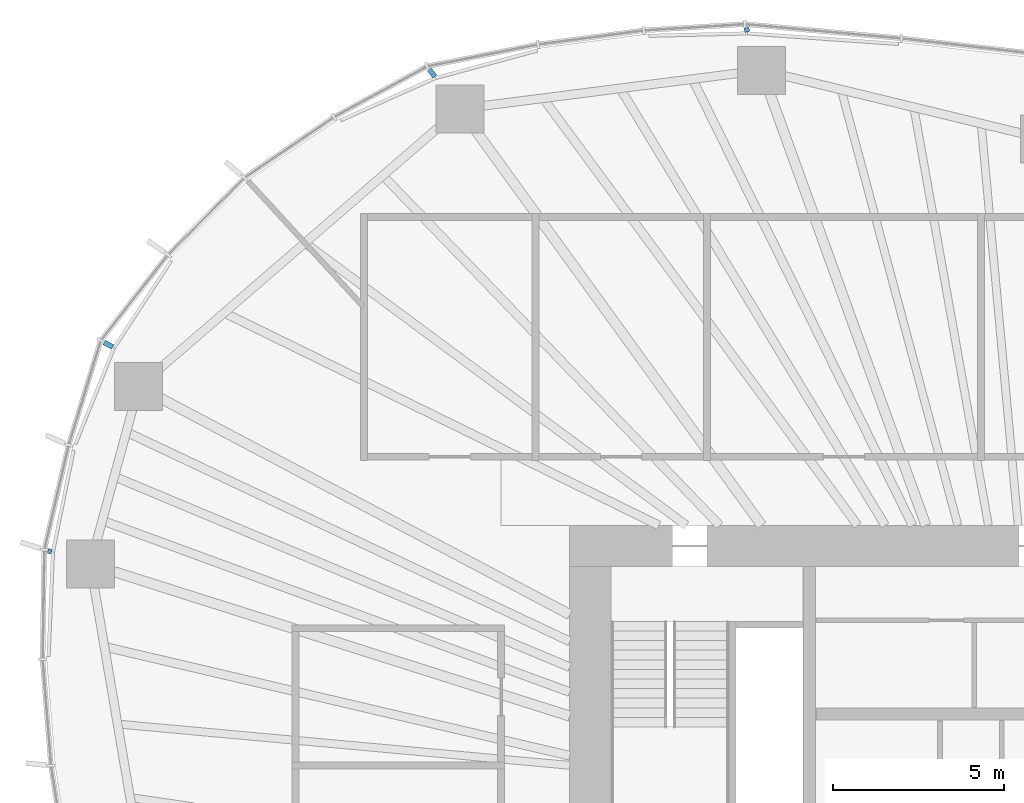
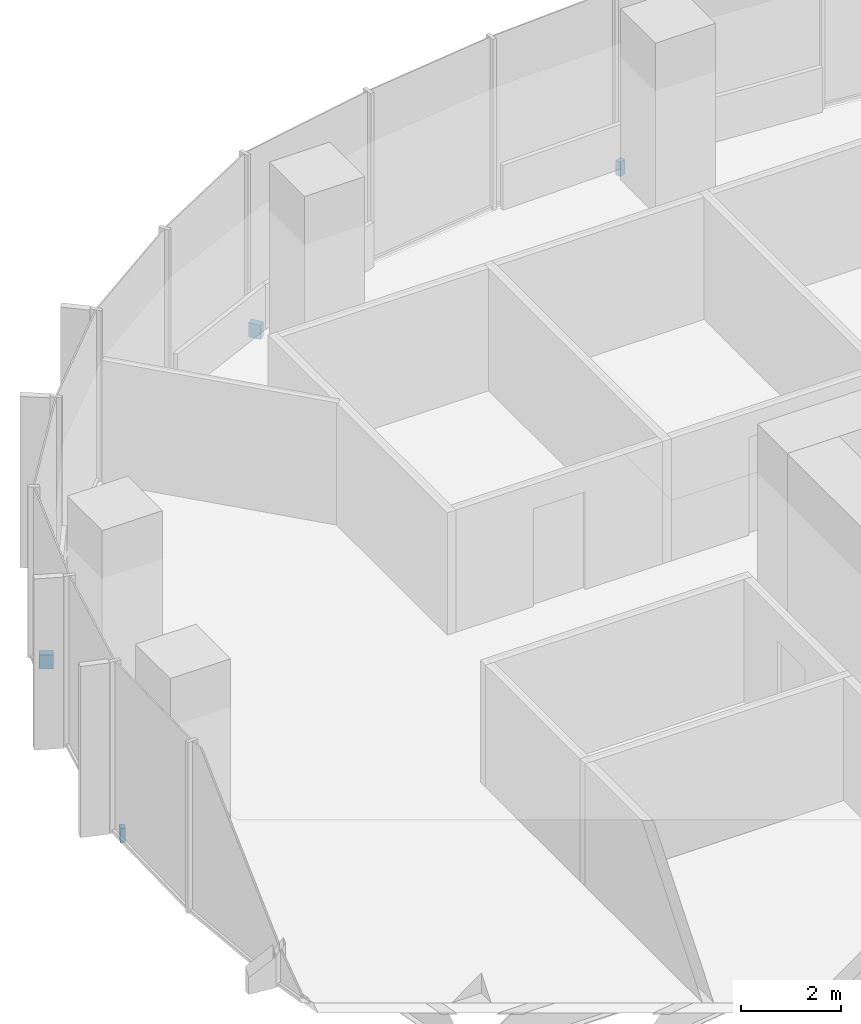
# One storey, part 15 of 18: 4 discrete accessories.
"""IFC4 building model written with IfcOpenShell, lengths in metres."""

import ifcopenshell
import ifcopenshell.guid

model = None  # the IFC model being written
_history = None  # IfcOwnerHistory: only IFC2X3 demands one
_inside = {}  # id of a spatial element -> (the spatial element, [elements in it])
_under = {}  # id of a project, library or spatial element -> (it, [spatial elements below it])
_declared = {}  # id of a project -> (the project, [libraries it declares])
_typed = {}  # id of a type object -> (the type object, [elements of that type])
_made_of = {}  # id of a material, layer set ... -> (it, [elements and type objects made of it])


def new_model(schema):
    """Start an empty IFC model of exactly this schema.

    Asked for "IFC4X3", IfcOpenShell would pick the latest addendum, in which some entities
    have other attributes; the version numbers below select the first issue.
    IFC2X3 requires an IfcOwnerHistory on every rooted entity: one is made here for all.
    """
    global model, _history
    if schema == "IFC4X3":
        model = ifcopenshell.file(schema_version=(4, 3, 0, 0))
    else:
        model = ifcopenshell.file(schema=schema)
    _inside.clear()
    _under.clear()
    _declared.clear()
    _typed.clear()
    _made_of.clear()
    _history = None
    if model.schema == "IFC2X3":
        org = make("IfcOrganization", Name="unknown")
        user = make(
            "IfcPersonAndOrganization",
            ThePerson=make("IfcPerson", FamilyName="unknown"),
            TheOrganization=org,
        )
        app = make(
            "IfcApplication",
            ApplicationDeveloper=org,
            Version="unknown",
            ApplicationFullName="unknown",
            ApplicationIdentifier="unknown",
        )
        _history = make(
            "IfcOwnerHistory",
            OwningUser=user,
            OwningApplication=app,
            ChangeAction="ADDED",
            CreationDate=0,
        )
    return model


def make(cls, **values):
    """One entity of the class cls with the attributes given. An attribute that is None is left unset."""
    return model.create_entity(
        cls, **{name: value for name, value in values.items() if value is not None}
    )


def rooted(cls, **values):
    """An entity with a GlobalId (a new one), such as an element, a storey or a relation."""
    return make(cls, GlobalId=ifcopenshell.guid.new(), OwnerHistory=_history, **values)


def si_unit(unit_type, name, prefix=None):
    """IfcSIUnit, for example si_unit("LENGTHUNIT", "METRE", prefix="MILLI")."""
    return make("IfcSIUnit", UnitType=unit_type, Prefix=prefix, Name=name)


def assignment(units):
    """IfcUnitAssignment: the units of a project."""
    return None if units is None else make("IfcUnitAssignment", Units=units)


def point(xyz):
    """IfcCartesianPoint."""
    return None if xyz is None else make("IfcCartesianPoint", Coordinates=xyz)


def direction(xyz):
    """IfcDirection."""
    return None if xyz is None else make("IfcDirection", DirectionRatios=xyz)


def frame(location, z_axis=None, x_axis=None):
    """IfcAxis2Placement3D, a coordinate frame: its origin and axes. An axis left out is left unset."""
    return make(
        "IfcAxis2Placement3D",
        Location=point(location),
        Axis=direction(z_axis),
        RefDirection=direction(x_axis),
    )


def frame_2d(location, x_axis=None):
    """IfcAxis2Placement2D, a coordinate frame in the plane: its origin and x axis."""
    return make(
        "IfcAxis2Placement2D", Location=point(location), RefDirection=direction(x_axis)
    )


def origin():
    """The frame at (0, 0, 0) with its axes left unset."""
    return frame((0.0, 0.0, 0.0))


def origin_2d():
    """The frame at (0, 0) in the plane with its x axis left unset."""
    return frame_2d((0.0, 0.0))


def place(relative_to, where):
    """IfcLocalPlacement: puts the frame where relative to a parent placement (None: the world)."""
    return make(
        "IfcLocalPlacement", PlacementRelTo=relative_to, RelativePlacement=where
    )


def context(
    kind, dimensions, precision=None, world=None, true_north=None, identifier=None
):
    """IfcGeometricRepresentationContext, for example the 3D "Model" context."""
    return make(
        "IfcGeometricRepresentationContext",
        ContextIdentifier=identifier,
        ContextType=kind,
        CoordinateSpaceDimension=dimensions,
        Precision=precision,
        WorldCoordinateSystem=world,
        TrueNorth=true_north,
    )


def subcontext(parent, identifier, kind, view, scale=None):
    """IfcGeometricRepresentationSubContext, for example "Body" below "Model"."""
    return make(
        "IfcGeometricRepresentationSubContext",
        ContextIdentifier=identifier,
        ContextType=kind,
        ParentContext=parent,
        TargetScale=scale,
        TargetView=view,
    )


def project(units=None, contexts=None):
    """IfcProject with its units and contexts."""
    return rooted(
        "IfcProject",
        Name="project",
        RepresentationContexts=contexts,
        UnitsInContext=assignment(units),
    )


def spatial(cls, under=None, at=None, **own):
    """A site, building, storey or space (cls), placed at a placement, below another one or the project."""
    s = rooted(cls, ObjectPlacement=at, **own)
    if under is not None:
        _under.setdefault(under.id(), (under, []))[1].append(s)
    return s


def profile(cls, at=None, kind="AREA", **sizes):
    """A parametric profile (cls). Its sizes go by their IFC names, for example OverallWidth=200.0."""
    return make(cls, ProfileType=kind, Position=at, **sizes)


def rectangle(**sizes):
    """IfcRectangleProfileDef."""
    return profile("IfcRectangleProfileDef", **sizes)


def extrude(swept, where, along, depth):
    """IfcExtrudedAreaSolid: the profile swept, set in the frame where, extruded along a direction by depth."""
    return make(
        "IfcExtrudedAreaSolid",
        SweptArea=swept,
        Position=where,
        ExtrudedDirection=direction(along),
        Depth=depth,
    )


def shape(context_of_items, identifier, shape_type, items):
    """IfcShapeRepresentation: the items that make up one representation, for example the "Body"."""
    return make(
        "IfcShapeRepresentation",
        ContextOfItems=context_of_items,
        RepresentationIdentifier=identifier,
        RepresentationType=shape_type,
        Items=items,
    )


def material(Name=None, Category=None):
    """IfcMaterial."""
    return make("IfcMaterial", Name=Name, Category=Category)


def made_of(thing, what):
    """Note that an element or type object is made of a material, layer set ...; save() writes the relation."""
    if what is not None:
        _made_of.setdefault(what.id(), (what, []))[1].append(thing)
    return thing


def type_object(cls, material=None, **own):
    """A type object (cls), such as IfcWallType, which elements share."""
    return made_of(rooted(cls, **own), material)


def element(
    cls,
    number,
    at=None,
    inside=None,
    cuts=None,
    type_object=None,
    material=None,
    context=None,
    identifier="Body",
    shape_type=None,
    held_by="IfcProductDefinitionShape",
    body=None,
    shapes=None,
    **own,
):
    """One element of the class cls, such as IfcWall. Its Tag is "e" and its number.

    at: its placement. inside: the storey or other place that contains it. cuts: it is an
    opening in that element (IfcRelVoidsElement). A single representation is given by context,
    identifier, shape_type and body (its items); several are given by shapes. held_by: the class
    of the entity that holds the representations. save() writes the other relations.
    """
    e = rooted(cls, Tag="e%d" % number, ObjectPlacement=at, **own)
    if body is not None:
        shapes = [shape(context, identifier, shape_type, body)]
    if shapes is not None:
        e.Representation = make(held_by, Representations=shapes)
    if inside is not None:
        _inside.setdefault(inside.id(), (inside, []))[1].append(e)
    if cuts is not None:
        rooted(
            "IfcRelVoidsElement", RelatingBuildingElement=cuts, RelatedOpeningElement=e
        )
    if type_object is not None:
        _typed.setdefault(type_object.id(), (type_object, []))[1].append(e)
    return made_of(e, material)


def aggregate(whole, parts):
    """IfcRelAggregates: a whole, such as a stair, and the parts it consists of."""
    return rooted("IfcRelAggregates", RelatingObject=whole, RelatedObjects=parts)


def save(model, path):
    """Write the relations noted so far, then the file.

    IfcRelAggregates (storeys below a building ...), IfcRelContainedInSpatialStructure (elements
    in a storey), IfcRelDefinesByType, IfcRelAssociatesMaterial and IfcRelDeclares: one each for
    every whole, place, type object, material and project.
    """
    for whole, parts in _under.values():
        aggregate(whole, parts)
    for where, things in _inside.values():
        rooted(
            "IfcRelContainedInSpatialStructure",
            RelatedElements=things,
            RelatingStructure=where,
        )
    for kind, things in _typed.values():
        rooted("IfcRelDefinesByType", RelatedObjects=things, RelatingType=kind)
    for what, things in _made_of.values():
        rooted("IfcRelAssociatesMaterial", RelatedObjects=things, RelatingMaterial=what)
    for by, libraries in _declared.values():
        rooted("IfcRelDeclares", RelatingContext=by, RelatedDefinitions=libraries)
    model.write(path)


model = new_model("IFC4")

# Units and contexts
model_context = context("Model", 3, precision=1e-05, world=origin(), true_north=direction((0.0, 1.0)))
body_context = subcontext(model_context, "Body", "Model", "MODEL_VIEW")
ifc_project = project(units=[si_unit("LENGTHUNIT", "METRE"), si_unit("AREAUNIT", "SQUARE_METRE"), si_unit("VOLUMEUNIT", "CUBIC_METRE"), si_unit("PLANEANGLEUNIT", "RADIAN"), si_unit("MASSUNIT", "GRAM", prefix="KILO")], contexts=[model_context])

# Site, building, storey
site_placement = place(None, origin())
site = spatial("IfcSite", under=ifc_project, at=site_placement, CompositionType="ELEMENT")
building_placement = place(site_placement, origin())
building = spatial("IfcBuilding", under=site, at=building_placement, Name="Ghaith Harvest Tower", CompositionType="ELEMENT")
storey_placement = place(building_placement, frame((0.0, 0.0, 176.39990234375)))
storey = spatial("IfcBuildingStorey", under=building, at=storey_placement, Name="L38", CompositionType="ELEMENT", Elevation=176.39990234375)

# Discrete accessories
ifc_material_1 = material(Name="Stainless steel grade 1.4401", Category="steel")
discrete_accessory_type_1 = type_object("IfcDiscreteAccessoryType", Name="CURTAIN WALL BRACKET 105", PredefinedType="BRACKET", material=ifc_material_1)
discrete_accessory_1_placement = place(storey_placement, frame((-29.171875, 9.2451171875, -0.25), z_axis=(0.0, 0.0, 1.0), x_axis=(-0.953273219358, 0.302109531884, 0.0)))
element("IfcDiscreteAccessory", 1, at=discrete_accessory_1_placement, inside=storey, type_object=discrete_accessory_type_1, Name="CW-L bracket 1 bay 10 L38", PredefinedType="BRACKET", context=body_context, shape_type="SweptSolid", body=[
    extrude(rectangle(XDim=0.10498046875, YDim=0.14990234375, at=origin_2d()), origin(), (0.0, 0.0, 1.0), 0.35009765625),
])
ifc_material_2 = material(Name="Stainless steel grade 1.4401", Category="steel")
discrete_accessory_type_2 = type_object("IfcDiscreteAccessoryType", Name="CURTAIN WALL BRACKET 125", PredefinedType="BRACKET", material=ifc_material_2)
discrete_accessory_2_placement = place(storey_placement, frame((-8.833984375, 24.45849609375, -0.25), z_axis=(0.0, 0.0, 1.0), x_axis=(-0.339699453402, 0.94053404051, 0.0)))
element("IfcDiscreteAccessory", 2, at=discrete_accessory_2_placement, inside=storey, type_object=discrete_accessory_type_2, Name="CW-L bracket 1 bay 07 L38", PredefinedType="BRACKET", context=body_context, shape_type="SweptSolid", body=[
    extrude(rectangle(XDim=0.125, YDim=0.14990234375, at=origin_2d()), origin(), (0.0, 0.0, 1.0), 0.35009765625),
])
ifc_material_3 = material(Name="Stainless steel grade 1.4401", Category="steel")
discrete_accessory_type_3 = type_object("IfcDiscreteAccessoryType", Name="CURTAIN WALL BRACKET 265", PredefinedType="BRACKET", material=ifc_material_3)
discrete_accessory_3_placement = place(storey_placement, frame((-18.0166015625, 23.197998046875, -0.25), z_axis=(0.0, 0.0, 1.0), x_axis=(-0.613377714422, 0.78978970584, 0.0)))
element("IfcDiscreteAccessory", 3, at=discrete_accessory_3_placement, inside=storey, type_object=discrete_accessory_type_3, Name="CW-L bracket 1 bay 08 L38", PredefinedType="BRACKET", context=body_context, shape_type="SweptSolid", body=[
    extrude(rectangle(XDim=0.264892578125, YDim=0.14990234375, at=origin_2d()), origin(), (0.0, 0.0, 1.0), 0.35009765625),
])
ifc_material_4 = material(Name="Stainless steel grade 1.4401", Category="steel")
discrete_accessory_type_4 = type_object("IfcDiscreteAccessoryType", Name="CURTAIN WALL BRACKET 285", PredefinedType="BRACKET", material=ifc_material_4)
discrete_accessory_4_placement = place(storey_placement, frame((-27.45849609375, 15.271728515625, -0.25), z_axis=(0.0, 0.0, 1.0), x_axis=(-0.873926916005, 0.486057347935, 0.0)))
element("IfcDiscreteAccessory", 4, at=discrete_accessory_4_placement, inside=storey, type_object=discrete_accessory_type_4, Name="CW-L bracket 2 bay 09 L38", PredefinedType="BRACKET", context=body_context, shape_type="SweptSolid", body=[
    extrude(rectangle(XDim=0.284912109375, YDim=0.14990234375, at=origin_2d()), origin(), (0.0, 0.0, 1.0), 0.35009765625),
])

save(model, "model.ifc")
